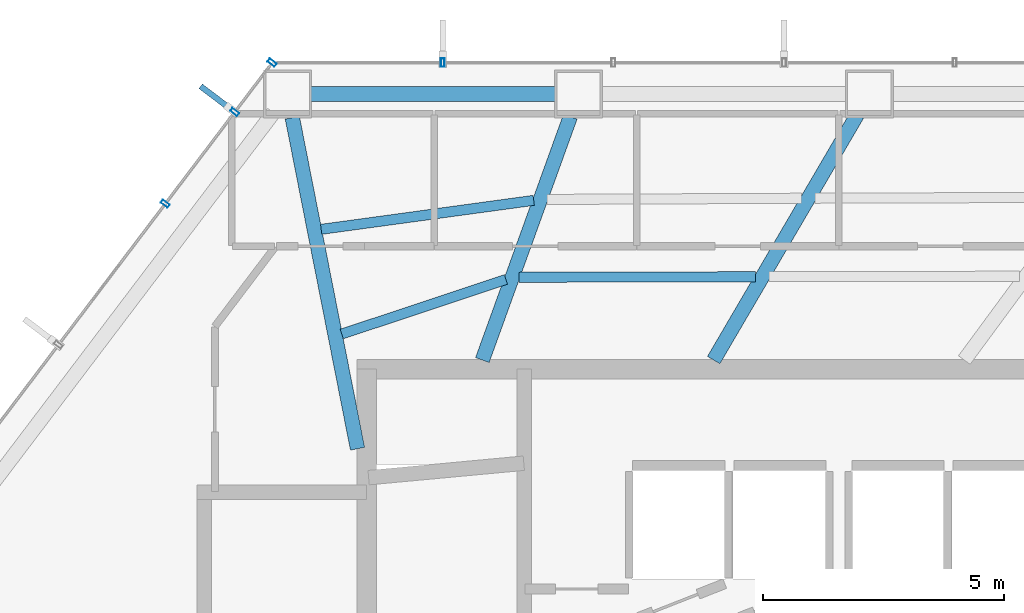
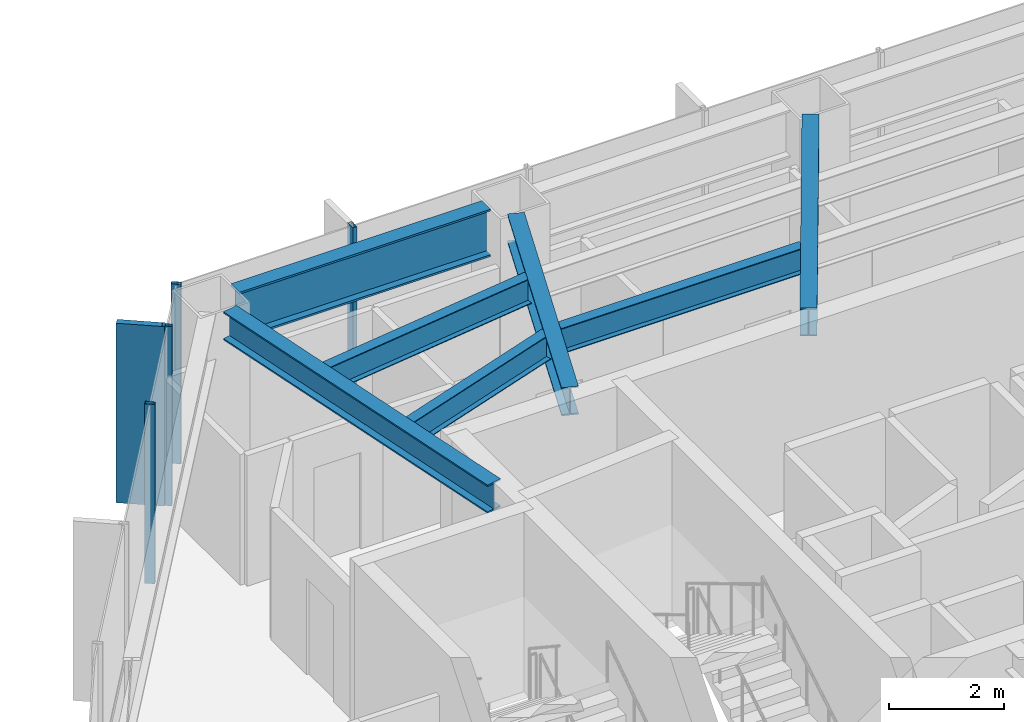
# One storey, part 9 of 24: 7 beams, 5 members, 2 elements without a shape of their own.
"""IFC4 building model written with IfcOpenShell, lengths in metres."""

from ifc_helpers import new_model, si_unit, direction, frame, origin, origin_2d, place, context, subcontext, project, spatial, rectangle, hollow_rectangle, i_section, extrude, material, layer, layer_set, material_profile, profile_set, type_object, element, aggregate, save


model = new_model("IFC4")

# Units and contexts
model_context = context("Model", 3, precision=1e-05, world=origin(), true_north=direction((0.0, 1.0)))
body_context = subcontext(model_context, "Body", "Model", "MODEL_VIEW")
ifc_project = project(units=[si_unit("LENGTHUNIT", "METRE"), si_unit("AREAUNIT", "SQUARE_METRE"), si_unit("VOLUMEUNIT", "CUBIC_METRE"), si_unit("PLANEANGLEUNIT", "RADIAN"), si_unit("MASSUNIT", "GRAM", prefix="KILO")], contexts=[model_context])

# Site, building, storey
site_placement = place(None, origin())
site = spatial("IfcSite", under=ifc_project, at=site_placement, CompositionType="ELEMENT")
building_placement = place(site_placement, origin())
building = spatial("IfcBuilding", under=site, at=building_placement, Name="Zarrinselat Tower", CompositionType="ELEMENT")
storey_placement = place(building_placement, frame((0.0, 0.0, 64.260009765625)))
storey = spatial("IfcBuildingStorey", under=building, at=storey_placement, Name="L15", CompositionType="ELEMENT", Elevation=64.260009765625)

# Beams
ifc_material_1 = material(Name="Steel S355J2", Category="steel")
ifc_material_profile_1 = material_profile(ifc_material_1, i_section(OverallWidth=0.300048828125, OverallDepth=0.60009765625, WebThickness=0.015380859375, FlangeThickness=0.030029296875, at=origin_2d()), Name="HEB 600")
ifc_profile_set_1 = profile_set([ifc_material_profile_1], Name="Steel S355J2")
beam_type_1 = type_object("IfcBeamType", Name="BM-HEB600", PredefinedType="BEAM", material=ifc_profile_set_1)
beam_1_placement = place(storey_placement, frame((35.800048828125, 43.639892578125, 3.52001953125), z_axis=(0.505085911468, 0.863069071417, 0.0), x_axis=(-0.863069071417, 0.505085911468, 0.0)))
element("IfcBeam", 1, at=beam_1_placement, inside=storey, type_object=beam_type_1, Name="L15 Radial Primary Girder RG03", PredefinedType="BEAM", context=body_context, shape_type="SweptSolid", body=[
    extrude(i_section(OverallWidth=0.300048828125, OverallDepth=0.60009765625, WebThickness=0.015380859375, FlangeThickness=0.030029296875, at=origin_2d()), origin(), (0.0, 0.0, 1.0), 5.89501953125),
])
beam_2_placement = place(storey_placement, frame((31.0, 43.639892578125, 3.52001953125), z_axis=(0.339880240267, 0.940468724773, 0.0), x_axis=(-0.940468724773, 0.339880240267, 0.0)))
element("IfcBeam", 2, at=beam_2_placement, inside=storey, type_object=beam_type_1, Name="L15 Radial Primary Girder RG04", PredefinedType="BEAM", context=body_context, shape_type="SweptSolid", body=[
    extrude(i_section(OverallWidth=0.300048828125, OverallDepth=0.60009765625, WebThickness=0.015380859375, FlangeThickness=0.030029296875, at=origin_2d()), origin(), (0.0, 0.0, 1.0), 5.36865234375),
])
beam_3_placement = place(storey_placement, frame((27.056640625, 48.668701171875, 3.52001953125), z_axis=(0.19330530877, -0.981138653607, 0.0), x_axis=(0.981138653607, 0.19330530877, 0.0)))
element("IfcBeam", 3, at=beam_3_placement, inside=storey, type_object=beam_type_1, Name="L15 Radial Primary Girder RG05", PredefinedType="BEAM", context=body_context, shape_type="SweptSolid", body=[
    extrude(i_section(OverallWidth=0.300048828125, OverallDepth=0.60009765625, WebThickness=0.015380859375, FlangeThickness=0.030029296875, at=origin_2d()), origin(), (0.0, 0.0, 1.0), 7.000732421875),
])
ifc_material_2 = material(Name="Steel S460M", Category="steel")
ifc_material_profile_2 = material_profile(ifc_material_2, i_section(OverallWidth=0.302001953125, OverallDepth=1.008056640625, WebThickness=0.02099609375, FlangeThickness=0.0400390625, at=origin_2d()), Name="HEM 1000")
ifc_profile_set_2 = profile_set([ifc_material_profile_2], Name="Steel S460M")
beam_type_2 = type_object("IfcBeamType", Name="BM-HEM1000", PredefinedType="BEAM", material=ifc_profile_set_2)
beam_4_placement = place(storey_placement, frame((27.447509765625, 49.1611328125, 3.31591796875), z_axis=(1.0, 0.0, 0.0), x_axis=(0.0, 1.0, 0.0)))
element("IfcBeam", 4, at=beam_4_placement, inside=storey, type_object=beam_type_2, Name="L15 Perimeter Spandrel Girder SP04", PredefinedType="BEAM", context=body_context, shape_type="SweptSolid", body=[
    extrude(i_section(OverallWidth=0.302001953125, OverallDepth=1.008056640625, WebThickness=0.02099609375, FlangeThickness=0.0400390625, at=origin_2d()), origin(), (0.0, 0.0, 1.0), 5.059814453125),
])
ifc_material_3 = material(Name="Steel S355J2", Category="steel")
ifc_material_profile_3 = material_profile(ifc_material_3, i_section(OverallWidth=0.2099609375, OverallDepth=0.550048828125, WebThickness=0.010986328125, FlangeThickness=0.01708984375, at=origin_2d()), Name="IPE 550")
ifc_profile_set_3 = profile_set([ifc_material_profile_3], Name="Steel S355J2")
beam_type_3 = type_object("IfcBeamType", Name="BM-IPE550", PredefinedType="JOIST", material=ifc_profile_set_3)
beam_5_placement = place(storey_placement, frame((31.760498046875, 45.35693359375, 3.544921875), z_axis=(0.999996787113, 0.002534909098, 0.0), x_axis=(-0.002534909098, 0.999996787113, 0.0)))
element("IfcBeam", 5, at=beam_5_placement, inside=storey, type_object=beam_type_3, Name="L15 Composite Floor Joist 9-2", PredefinedType="JOIST", context=body_context, shape_type="SweptSolid", body=[
    extrude(i_section(OverallWidth=0.2099609375, OverallDepth=0.550048828125, WebThickness=0.010986328125, FlangeThickness=0.01708984375, at=origin_2d()), origin(), (0.0, 0.0, 1.0), 4.911865234375),
])
beam_6_placement = place(storey_placement, frame((27.655517578125, 46.352294921875, 3.544921875), z_axis=(0.990839511587, 0.135044667711, 0.0), x_axis=(-0.135044667711, 0.990839511587, 0.0)))
element("IfcBeam", 6, at=beam_6_placement, inside=storey, type_object=beam_type_3, Name="L15 Composite Floor Joist 10-1", PredefinedType="JOIST", context=body_context, shape_type="SweptSolid", body=[
    extrude(i_section(OverallWidth=0.2099609375, OverallDepth=0.550048828125, WebThickness=0.010986328125, FlangeThickness=0.01708984375, at=origin_2d()), origin(), (0.0, 0.0, 1.0), 4.450927734375),
])
beam_7_placement = place(storey_placement, frame((28.082763671875, 44.179443359375, 3.544921875), z_axis=(0.948839666282, 0.315758274144, 0.0), x_axis=(-0.315758274144, 0.948839666282, 0.0)))
element("IfcBeam", 7, at=beam_7_placement, inside=storey, type_object=beam_type_3, Name="L15 Composite Floor Joist 10-2", PredefinedType="JOIST", context=body_context, shape_type="SweptSolid", body=[
    extrude(i_section(OverallWidth=0.2099609375, OverallDepth=0.550048828125, WebThickness=0.010986328125, FlangeThickness=0.01708984375, at=origin_2d()), origin(), (0.0, 0.0, 1.0), 3.58837890625),
])

# Curtain wall, members
ifc_material_4 = material(Name="Extruded Aluminium Alloy EN AW-6063 T6", Category="aluminium")
ifc_layer = layer(ifc_material_4, 0.18505859375)
ifc_layer_set = layer_set([ifc_layer], Name="Extruded Aluminium Alloy EN AW-6063 T6")
curtain_wall_type = type_object("IfcCurtainWallType", Name="CWS-OFF", PredefinedType="NOTDEFINED", material=ifc_layer_set)
curtain_wall_1_placement = place(storey_placement, origin())
curtain_wall_1 = element("IfcCurtainWall", 8, at=curtain_wall_1_placement, inside=storey, type_object=curtain_wall_type, Name="L15 Unitised Curtain Wall CW-L15-E01", PredefinedType="NOTDEFINED")
ifc_material_5 = material(Name="Extruded Aluminium Alloy EN AW-6063 T6", Category="aluminium")
ifc_material_profile_4 = material_profile(ifc_material_5, hollow_rectangle(XDim=0.080078125, YDim=0.179931640625, WallThickness=0.0048828125, at=origin_2d()), Name="RHS 180x80x5")
ifc_profile_set_4 = profile_set([ifc_material_profile_4], Name="Extruded Aluminium Alloy EN AW-6063 T6")
member_type_1 = type_object("IfcMemberType", Name="MEM-CW-MUL", PredefinedType="MULLION", material=ifc_profile_set_4)
member_1_placement = place(storey_placement, frame((24.4189453125, 46.8837890625, 0.0), z_axis=(0.0, 0.0, 1.0), x_axis=(0.603856639456, 0.797092942501, 0.0)))
member_1 = element("IfcMember", 9, at=member_1_placement, type_object=member_type_1, Name="CW-L15-E01 Mullion 4", PredefinedType="MULLION", context=body_context, shape_type="SweptSolid", body=[
    extrude(hollow_rectangle(XDim=0.080078125, YDim=0.179931640625, WallThickness=0.0048828125, at=origin_2d()), origin(), (0.0, 0.0, 1.0), 3.820068359375),
])
member_2_placement = place(storey_placement, frame((25.860107421875, 48.7861328125, 0.0), z_axis=(0.0, 0.0, 1.0), x_axis=(0.603856639456, 0.797092942501, 0.0)))
member_2 = element("IfcMember", 10, at=member_2_placement, type_object=member_type_1, Name="CW-L15-E01 Mullion 5", PredefinedType="MULLION", context=body_context, shape_type="SweptSolid", body=[
    extrude(hollow_rectangle(XDim=0.080078125, YDim=0.179931640625, WallThickness=0.0048828125, at=origin_2d()), origin(), (0.0, 0.0, 1.0), 3.820068359375),
])
member_3_placement = place(storey_placement, frame((26.63671875, 49.81103515625, 0.0), z_axis=(0.0, 0.0, 1.0), x_axis=(0.603856639456, 0.797092942501, 0.0)))
member_3 = element("IfcMember", 11, at=member_3_placement, type_object=member_type_1, Name="CW-L15-E01 Mullion 6", PredefinedType="MULLION", context=body_context, shape_type="SweptSolid", body=[
    extrude(hollow_rectangle(XDim=0.080078125, YDim=0.179931640625, WallThickness=0.0048828125, at=origin_2d()), origin(), (0.0, 0.0, 1.0), 3.820068359375),
])

# Curtain wall, member
curtain_wall_2_placement = place(storey_placement, origin())
curtain_wall_2 = element("IfcCurtainWall", 12, at=curtain_wall_2_placement, inside=storey, type_object=curtain_wall_type, Name="L15 Unitised Curtain Wall CW-L15-E02", PredefinedType="NOTDEFINED")
member_4_placement = place(storey_placement, frame((30.177978515625, 49.81103515625, 0.0), z_axis=(0.0, 0.0, 1.0), x_axis=(1.0, 0.0, 0.0)))
member_4 = element("IfcMember", 13, at=member_4_placement, type_object=member_type_1, Name="CW-L15-E02 Mullion 1", PredefinedType="MULLION", context=body_context, shape_type="SweptSolid", body=[
    extrude(hollow_rectangle(XDim=0.080078125, YDim=0.179931640625, WallThickness=0.0048828125, at=origin_2d()), origin(), (0.0, 0.0, 1.0), 3.820068359375),
])
aggregate(curtain_wall_2, [member_4])

# Member
ifc_material_6 = material(Name="Honed Cream Travertine Stone", Category="masonry")
ifc_material_profile_5 = material_profile(ifc_material_6, rectangle(XDim=0.1201171875, YDim=0.85009765625, at=origin_2d()), Name="FIN 850x120")
ifc_profile_set_5 = profile_set([ifc_material_profile_5], Name="Honed Cream Travertine Stone")
member_type_2 = type_object("IfcMemberType", Name="MEM-STONE-FIN", PredefinedType="USERDEFINED", material=ifc_profile_set_5)
member_5_placement = place(storey_placement, frame((25.493408203125, 49.06396484375, 0.0), z_axis=(0.0, 0.0, 1.0), x_axis=(0.603856639456, 0.797092942501, 0.0)))
member_5 = element("IfcMember", 14, at=member_5_placement, type_object=member_type_2, Name="L15 Stone Shading Fin CW-L15-E01-05", ObjectType="FIN", PredefinedType="USERDEFINED", context=body_context, shape_type="SweptSolid", body=[
    extrude(rectangle(XDim=0.1201171875, YDim=0.85009765625, at=origin_2d()), origin(), (0.0, 0.0, 1.0), 3.820068359375),
])

aggregate(curtain_wall_1, [member_1, member_2, member_5, member_3])

save(model, "model.ifc")
